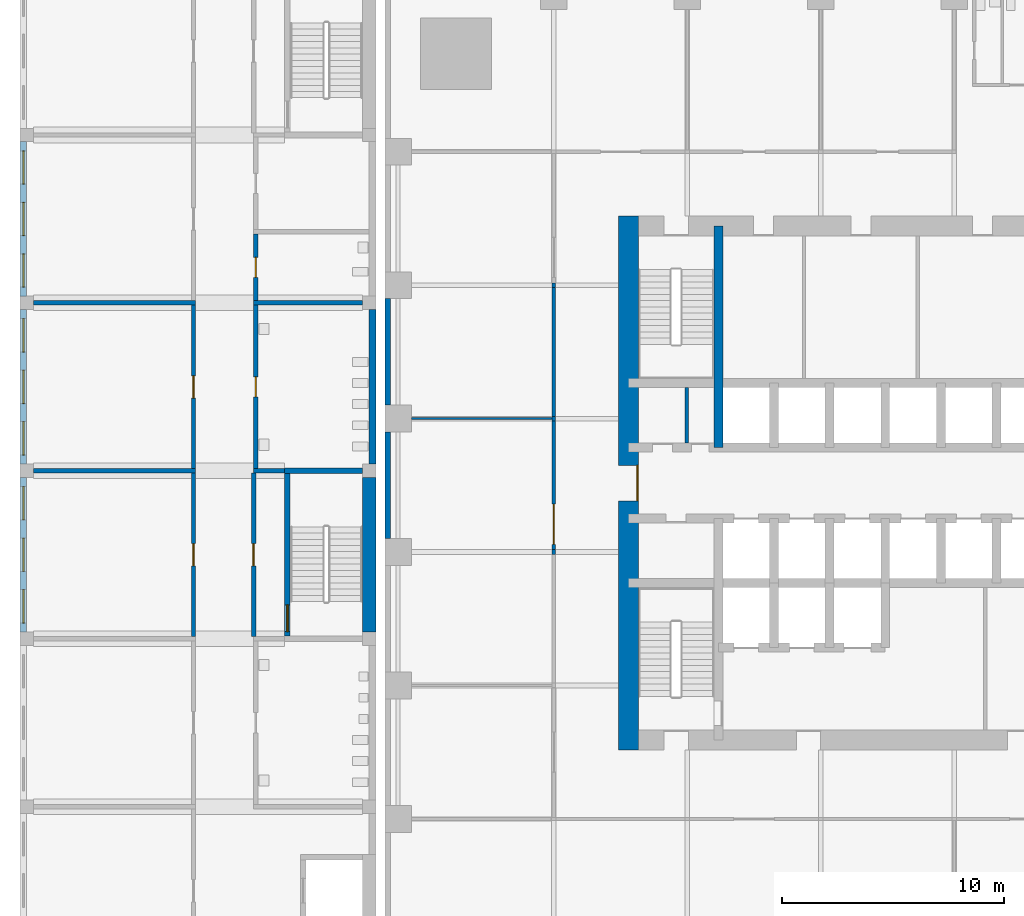
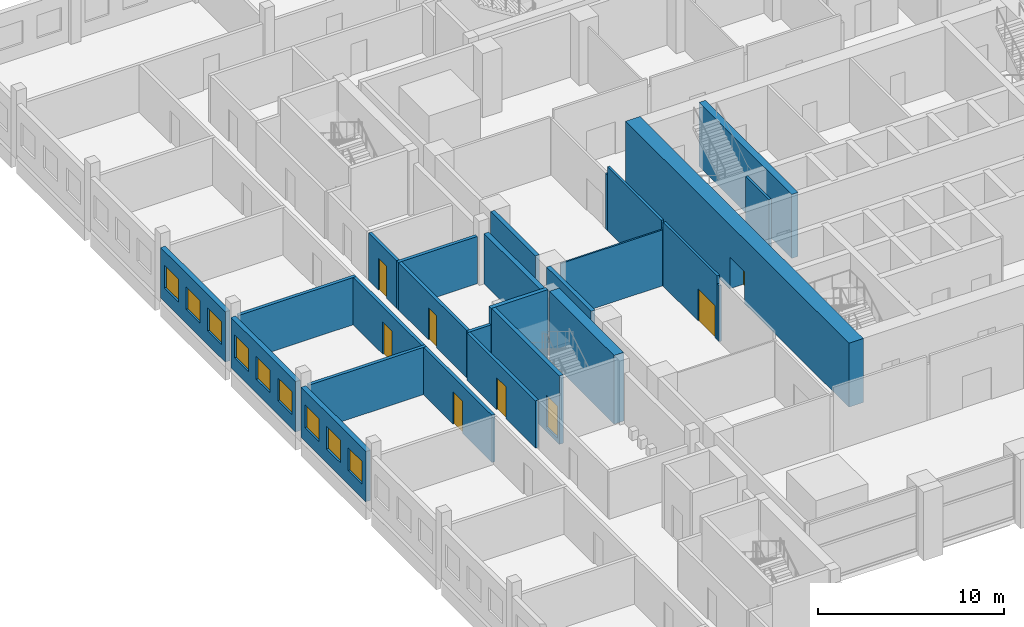
# One storey, part 12 of 25: 27 walls, 9 windows, 8 doors, 17 openings.
"""IFC4 building model written with IfcOpenShell, lengths in metres."""

from ifc_helpers import new_model, si_unit, direction, frame, frame_2d, origin, place, context, subcontext, project, spatial, rectangle, extrude, material, layer, layer_set, type_object, element, fill, save


model = new_model("IFC4")

# Units and contexts
model_context = context("Model", 3, precision=1e-05, world=origin(), true_north=direction((0.0, 1.0)))
body_context = subcontext(model_context, "Body", "Model", "MODEL_VIEW")
ifc_project = project(units=[si_unit("LENGTHUNIT", "METRE"), si_unit("AREAUNIT", "SQUARE_METRE"), si_unit("VOLUMEUNIT", "CUBIC_METRE"), si_unit("PLANEANGLEUNIT", "RADIAN"), si_unit("MASSUNIT", "GRAM", prefix="KILO")], contexts=[model_context])

# Site, building, storey
site_placement = place(None, origin())
site = spatial("IfcSite", under=ifc_project, at=site_placement, CompositionType="ELEMENT")
building_placement = place(site_placement, origin())
building = spatial("IfcBuilding", under=site, at=building_placement, Name="Amberfall Residences", CompositionType="ELEMENT")
storey_placement = place(building_placement, frame((0.0, 0.0, 14.5)))
storey = spatial("IfcBuildingStorey", under=building, at=storey_placement, Name="L03", CompositionType="ELEMENT", Elevation=14.5)

# Wall
ifc_material_1 = material(Name="Concrete C80", Category="concrete")
ifc_layer_1 = layer(ifc_material_1, 0.39990234375)
ifc_layer_set_1 = layer_set([ifc_layer_1], Name="Core wall 400 C80")
wall_type_1 = type_object("IfcWallType", Name="Core wall 400 C80", PredefinedType="SHEAR", material=ifc_layer_set_1)
wall_1_placement = place(storey_placement, frame((67.0, 47.10009765625, 0.0), z_axis=(0.0, 0.0, 1.0), x_axis=(0.0, 1.0, 0.0)))
element("IfcWall", 1, at=wall_1_placement, inside=storey, type_object=wall_type_1, Name="Core wall RW2 L03 V45N", PredefinedType="SHEAR", context=body_context, shape_type="SweptSolid", body=[
    extrude(rectangle(XDim=9.949951171875, YDim=0.39990234375, at=frame_2d((4.97509765625, 0.0))), origin(), (0.0, 0.0, 1.0), 4.199951171875),
])

# Wall, opening, door
ifc_layer_2 = layer(ifc_material_1, 0.89990234375)
ifc_layer_set_2 = layer_set([ifc_layer_2], Name="Core wall 900 C80")
wall_type_2 = type_object("IfcWallType", Name="Core wall 900 C80", PredefinedType="SHEAR", material=ifc_layer_set_2)
wall_2_placement = place(storey_placement, frame((62.949951171875, 33.5, 0.0), z_axis=(0.0, 0.0, 1.0), x_axis=(0.0, 1.0, 0.0)))
wall_2 = element("IfcWall", 2, at=wall_2_placement, inside=storey, type_object=wall_type_2, Name="Core wall RW1 L03 OW", PredefinedType="SHEAR", context=body_context, shape_type="SweptSolid", body=[
    extrude(rectangle(XDim=24.0, YDim=0.89990234375, at=frame_2d((12.0, 0.0))), origin(), (0.0, 0.0, 1.0), 4.199951171875),
])
opening_1_placement = place(wall_2_placement, frame((11.199951171875, 0.0, 0.0)))
opening_1 = element("IfcOpeningElement", 3, at=opening_1_placement, cuts=wall_2, Name="Opening LB1", PredefinedType="OPENING", context=body_context, shape_type="SweptSolid", body=[
    extrude(rectangle(XDim=1.60009765625, YDim=2.10009765625, at=frame_2d((0.800048828125, 1.050048828125))), frame((0.0, 0.4599609375, 0.0), z_axis=(0.0, -1.0, 0.0), x_axis=(1.0, 0.0, 0.0)), (0.0, 0.0, 1.0), 0.919921875),
])
ifc_material_2 = material(Name="Steel fire door set", Category="steel")
door_type_1 = type_object("IfcDoorType", Name="Lift lobby double door 1600 x 2100", OperationType="DOUBLE_DOOR_SINGLE_SWING", PredefinedType="DOOR", material=ifc_material_2)
door_1_placement = place(opening_1_placement, origin())
door_1 = element("IfcDoor", 4, at=door_1_placement, inside=storey, type_object=door_type_1, Name="LB1 L03", OperationType="DOUBLE_DOOR_SINGLE_SWING", OverallHeight=2.10009765625, OverallWidth=1.60009765625, PredefinedType="DOOR", context=body_context, shape_type="SweptSolid", body=[
    extrude(rectangle(XDim=1.60009765625, YDim=2.10009765625, at=frame_2d((0.800048828125, 1.050048828125))), frame((0.0, -0.3876953125, 0.0), z_axis=(0.0, -1.0, 0.0), x_axis=(1.0, 0.0, 0.0)), (0.0, 0.0, 1.0), 0.050048828125),
])
fill(opening_1, door_1)

# Walls
ifc_material_3 = material(Name="Gypsum board on steel studs", Category="steel")
ifc_layer_3 = layer(ifc_material_3, 0.10009765625)
ifc_layer_set_3 = layer_set([ifc_layer_3], Name="Partition 100")
wall_type_3 = type_object("IfcWallType", Name="Partition 100", PredefinedType="PARTITIONING", material=ifc_layer_set_3)
wall_3_placement = place(storey_placement, frame((53.199951171875, 48.39990234375, 0.0), z_axis=(0.0, 0.0, 1.0), x_axis=(1.0, 0.0, 0.0)))
element("IfcWall", 5, at=wall_3_placement, inside=storey, type_object=wall_type_3, Name="Partition 100 L03 002", PredefinedType="PARTITIONING", context=body_context, shape_type="SweptSolid", body=[
    extrude(rectangle(XDim=6.324951171875, YDim=0.10009765625, at=frame_2d((3.16259765625, 0.0))), origin(), (0.0, 0.0, 1.0), 3.6669921875),
])
ifc_material_4 = material(Name="Fire-rated gypsum board on steel studs", Category="steel")
ifc_layer_4 = layer(ifc_material_4, 0.14990234375)
ifc_layer_set_4 = layer_set([ifc_layer_4], Name="Partition 150 fire-rated")
wall_type_4 = type_object("IfcWallType", Name="Partition 150 fire-rated", PredefinedType="PARTITIONING", material=ifc_layer_set_4)
wall_4_placement = place(storey_placement, frame((59.60009765625, 42.29541015625, 0.0), z_axis=(0.0, 0.0, 1.0), x_axis=(0.0, 1.0, 0.0)))
element("IfcWall", 6, at=wall_4_placement, inside=storey, type_object=wall_type_4, Name="Partition 150 fire-rated L03 031", PredefinedType="PARTITIONING", context=body_context, shape_type="SweptSolid", body=[
    extrude(rectangle(XDim=0.209228515625, YDim=0.14990234375, at=frame_2d((0.1044921875, 0.0))), origin(), (0.0, 0.0, 1.0), 3.6669921875),
])

# Wall, opening, door
wall_5_placement = place(storey_placement, frame((59.60009765625, 42.504638671875, 0.0), z_axis=(0.0, 0.0, 1.0), x_axis=(0.0, 1.0, 0.0)))
wall_5 = element("IfcWall", 7, at=wall_5_placement, inside=storey, type_object=wall_type_4, Name="Partition 150 fire-rated L03 032", PredefinedType="PARTITIONING", context=body_context, shape_type="SweptSolid", body=[
    extrude(rectangle(XDim=5.790771484375, YDim=0.14990234375, at=frame_2d((2.8955078125, 0.0))), origin(), (0.0, 0.0, 1.0), 4.199951171875),
])
opening_2_placement = place(wall_5_placement, frame((0.245361328125, 0.0, 0.0)))
opening_2 = element("IfcOpeningElement", 8, at=opening_2_placement, cuts=wall_5, Name="Opening D5", PredefinedType="OPENING", context=body_context, shape_type="SweptSolid", body=[
    extrude(rectangle(XDim=1.800048828125, YDim=2.10009765625, at=frame_2d((0.89990234375, 1.050048828125))), frame((0.0, 0.0849609375, 0.0), z_axis=(0.0, -1.0, 0.0), x_axis=(1.0, 0.0, 0.0)), (0.0, 0.0, 1.0), 0.169921875),
])
ifc_material_5 = material(Name="Timber veneer door leaf", Category="wood")
door_type_2 = type_object("IfcDoorType", Name="Double door 1800x2100", OperationType="DOUBLE_DOOR_SINGLE_SWING", PredefinedType="DOOR", material=ifc_material_5)
door_2_placement = place(opening_2_placement, origin())
door_2 = element("IfcDoor", 9, at=door_2_placement, inside=storey, type_object=door_type_2, Name="Door Language studio", OperationType="DOUBLE_DOOR_SINGLE_SWING", OverallHeight=2.10009765625, OverallWidth=1.800048828125, PredefinedType="DOOR", context=body_context, shape_type="SweptSolid", body=[
    extrude(rectangle(XDim=1.800048828125, YDim=2.10009765625, at=frame_2d((0.89990234375, 1.050048828125))), frame((0.0, 0.02490234375, 0.0), z_axis=(0.0, -1.0, 0.0), x_axis=(1.0, 0.0, 0.0)), (0.0, 0.0, 1.0), 0.050048828125),
])
fill(opening_2, door_2)

# Walls
wall_6_placement = place(storey_placement, frame((59.60009765625, 48.29541015625, 0.0), z_axis=(0.0, 0.0, 1.0), x_axis=(0.0, 1.0, 0.0)))
element("IfcWall", 10, at=wall_6_placement, inside=storey, type_object=wall_type_4, Name="Partition 150 fire-rated L03 033", PredefinedType="PARTITIONING", context=body_context, shape_type="SweptSolid", body=[
    extrude(rectangle(XDim=0.209228515625, YDim=0.14990234375, at=frame_2d((0.1044921875, 0.0))), origin(), (0.0, 0.0, 1.0), 3.6669921875),
])
wall_7_placement = place(storey_placement, frame((59.60009765625, 48.504638671875, 0.0), z_axis=(0.0, 0.0, 1.0), x_axis=(0.0, 1.0, 0.0)))
element("IfcWall", 11, at=wall_7_placement, inside=storey, type_object=wall_type_4, Name="Partition 150 fire-rated L03 034", PredefinedType="PARTITIONING", context=body_context, shape_type="SweptSolid", body=[
    extrude(rectangle(XDim=5.790771484375, YDim=0.14990234375, at=frame_2d((2.8955078125, 0.0))), origin(), (0.0, 0.0, 1.0), 4.199951171875),
])
wall_8_placement = place(storey_placement, frame((59.60009765625, 54.29541015625, 0.0), z_axis=(0.0, 0.0, 1.0), x_axis=(0.0, 1.0, 0.0)))
element("IfcWall", 12, at=wall_8_placement, inside=storey, type_object=wall_type_4, Name="Partition 150 fire-rated L03 035", PredefinedType="PARTITIONING", context=body_context, shape_type="SweptSolid", body=[
    extrude(rectangle(XDim=0.2041015625, YDim=0.14990234375, at=frame_2d((0.10205078125, 0.0))), origin(), (0.0, 0.0, 1.0), 3.6669921875),
])
ifc_material_6 = material(Name="Precast concrete C40", Category="concrete")
ifc_layer_5 = layer(ifc_material_6, 0.25)
ifc_layer_set_5 = layer_set([ifc_layer_5], Name="Podium external wall 250")
wall_type_5 = type_object("IfcWallType", Name="Podium external wall 250", PredefinedType="SOLIDWALL", material=ifc_layer_set_5)
for number, where, z_axis, x_axis, name in (
    (13, (52.125, 43.0, 0.0), (0.0, 0.0, 1.0), (0.0, 1.0, 0.0), "Podium external wall W4"),
    (14, (52.125, 49.0, 0.0), (0.0, 0.0, 1.0), (0.0, 1.0, 0.0), "Podium external wall W5"),
):
    element("IfcWall", number, at=place(storey_placement, frame(where, z_axis=z_axis, x_axis=x_axis)), inside=storey, type_object=wall_type_5, Name=name, PredefinedType="SOLIDWALL", context=body_context, shape_type="SweptSolid", body=[
        extrude(rectangle(XDim=4.800048828125, YDim=0.25, at=frame_2d((2.39990234375, 0.0))), origin(), (0.0, 0.0, 1.0), 4.199951171875),
    ])
ifc_material_7 = material(Name="Concrete blockwork", Category="masonry")
ifc_layer_6 = layer(ifc_material_7, 0.14990234375)
ifc_layer_set_6 = layer_set([ifc_layer_6], Name="Riser wall 150")
wall_type_6 = type_object("IfcWallType", Name="Riser wall 150", PredefinedType="PLUMBINGWALL", material=ifc_layer_set_6)
wall_9_placement = place(storey_placement, frame((65.575927734375, 47.300048828125, 0.0), z_axis=(0.0, 0.0, 1.0), x_axis=(0.0, 1.0, 0.0)))
element("IfcWall", 15, at=wall_9_placement, inside=storey, type_object=wall_type_6, Name="L03 core wall ANW0", PredefinedType="PLUMBINGWALL", context=body_context, shape_type="SweptSolid", body=[
    extrude(rectangle(XDim=2.5, YDim=0.14990234375, at=frame_2d((1.25, 0.0))), origin(), (0.0, 0.0, 1.0), 4.199951171875),
])

# Wall, openings, windows
ifc_material_8 = material(Name="Aerated block wall")
ifc_layer_7 = layer(ifc_material_8, 0.300048828125)
ifc_layer_set_7 = layer_set([ifc_layer_7], Name="School external wall 300")
wall_type_7 = type_object("IfcWallType", Name="School external wall 300", PredefinedType="SOLIDWALL", material=ifc_layer_set_7)
wall_10_placement = place(storey_placement, frame((35.75, 38.800048828125, 0.0), z_axis=(0.0, 0.0, 1.0), x_axis=(0.0, 1.0, 0.0)))
wall_10 = element("IfcWall", 16, at=wall_10_placement, inside=storey, type_object=wall_type_7, Name="School external wall L03 EW4", PredefinedType="SOLIDWALL", context=body_context, shape_type="SweptSolid", body=[
    extrude(rectangle(XDim=6.949951171875, YDim=0.300048828125, at=frame_2d((3.47509765625, 0.0))), origin(), (0.0, 0.0, 1.0), 3.300048828125),
])
opening_3_placement = place(wall_10_placement, frame((0.408203125, 0.0, 0.89990234375)))
opening_3 = element("IfcOpeningElement", 17, at=opening_3_placement, cuts=wall_10, Name="Opening SWN1", PredefinedType="OPENING", context=body_context, shape_type="SweptSolid", body=[
    extrude(rectangle(XDim=1.5, YDim=1.5, at=frame_2d((0.75, 0.75))), frame((0.0, 0.159912109375, 0.0), z_axis=(0.0, -1.0, 0.0), x_axis=(1.0, 0.0, 0.0)), (0.0, 0.0, 1.0), 0.320068359375),
])
opening_4_placement = place(wall_10_placement, frame((2.72509765625, 0.0, 0.89990234375)))
opening_4 = element("IfcOpeningElement", 18, at=opening_4_placement, cuts=wall_10, Name="Opening SWN1", PredefinedType="OPENING", context=body_context, shape_type="SweptSolid", body=[
    extrude(rectangle(XDim=1.5, YDim=1.5, at=frame_2d((0.75, 0.75))), frame((0.0, 0.159912109375, 0.0), z_axis=(0.0, -1.0, 0.0), x_axis=(1.0, 0.0, 0.0)), (0.0, 0.0, 1.0), 0.320068359375),
])
opening_5_placement = place(wall_10_placement, frame((5.041748046875, 0.0, 0.89990234375)))
opening_5 = element("IfcOpeningElement", 19, at=opening_5_placement, cuts=wall_10, Name="Opening SWN1", PredefinedType="OPENING", context=body_context, shape_type="SweptSolid", body=[
    extrude(rectangle(XDim=1.5, YDim=1.5, at=frame_2d((0.75, 0.75))), frame((0.0, 0.159912109375, 0.0), z_axis=(0.0, -1.0, 0.0), x_axis=(1.0, 0.0, 0.0)), (0.0, 0.0, 1.0), 0.320068359375),
])
ifc_material_9 = material(Name="Aluminium window", Category="aluminium")
window_type = type_object("IfcWindowType", Name="School window 1500 x 1500", PartitioningType="DOUBLE_PANEL_HORIZONTAL", PredefinedType="WINDOW", material=ifc_material_9)
window_1_placement = place(opening_3_placement, origin())
window_1 = element("IfcWindow", 20, at=window_1_placement, inside=storey, type_object=window_type, Name="School window L03 EW4-1", OverallHeight=1.5, OverallWidth=1.5, PartitioningType="DOUBLE_PANEL_HORIZONTAL", PredefinedType="WINDOW", context=body_context, shape_type="SweptSolid", body=[
    extrude(rectangle(XDim=1.5, YDim=1.5, at=frame_2d((0.75, 0.75))), frame((0.0, 0.030029296875, 0.0), z_axis=(0.0, -1.0, 0.0), x_axis=(1.0, 0.0, 0.0)), (0.0, 0.0, 1.0), 0.06005859375),
])
fill(opening_3, window_1)
window_2_placement = place(opening_4_placement, origin())
window_2 = element("IfcWindow", 21, at=window_2_placement, inside=storey, type_object=window_type, Name="School window L03 EW4-2", OverallHeight=1.5, OverallWidth=1.5, PartitioningType="DOUBLE_PANEL_HORIZONTAL", PredefinedType="WINDOW", context=body_context, shape_type="SweptSolid", body=[
    extrude(rectangle(XDim=1.5, YDim=1.5, at=frame_2d((0.75, 0.75))), frame((0.0, 0.030029296875, 0.0), z_axis=(0.0, -1.0, 0.0), x_axis=(1.0, 0.0, 0.0)), (0.0, 0.0, 1.0), 0.06005859375),
])
fill(opening_4, window_2)
window_3_placement = place(opening_5_placement, origin())
window_3 = element("IfcWindow", 22, at=window_3_placement, inside=storey, type_object=window_type, Name="School window L03 EW4-3", OverallHeight=1.5, OverallWidth=1.5, PartitioningType="DOUBLE_PANEL_HORIZONTAL", PredefinedType="WINDOW", context=body_context, shape_type="SweptSolid", body=[
    extrude(rectangle(XDim=1.5, YDim=1.5, at=frame_2d((0.75, 0.75))), frame((0.0, 0.030029296875, 0.0), z_axis=(0.0, -1.0, 0.0), x_axis=(1.0, 0.0, 0.0)), (0.0, 0.0, 1.0), 0.06005859375),
])
fill(opening_5, window_3)

wall_11_placement = place(storey_placement, frame((35.75, 46.35009765625, 0.0), z_axis=(0.0, 0.0, 1.0), x_axis=(0.0, 1.0, 0.0)))
wall_11 = element("IfcWall", 23, at=wall_11_placement, inside=storey, type_object=wall_type_7, Name="School external wall L03 EW5", PredefinedType="SOLIDWALL", context=body_context, shape_type="SweptSolid", body=[
    extrude(rectangle(XDim=6.949951171875, YDim=0.300048828125, at=frame_2d((3.47509765625, 0.0))), origin(), (0.0, 0.0, 1.0), 3.300048828125),
])
opening_6_placement = place(wall_11_placement, frame((0.408203125, 0.0, 0.89990234375)))
opening_6 = element("IfcOpeningElement", 24, at=opening_6_placement, cuts=wall_11, Name="Opening SWN1", PredefinedType="OPENING", context=body_context, shape_type="SweptSolid", body=[
    extrude(rectangle(XDim=1.5, YDim=1.5, at=frame_2d((0.75, 0.75))), frame((0.0, 0.159912109375, 0.0), z_axis=(0.0, -1.0, 0.0), x_axis=(1.0, 0.0, 0.0)), (0.0, 0.0, 1.0), 0.320068359375),
])
opening_7_placement = place(wall_11_placement, frame((2.72509765625, 0.0, 0.89990234375)))
opening_7 = element("IfcOpeningElement", 25, at=opening_7_placement, cuts=wall_11, Name="Opening SWN1", PredefinedType="OPENING", context=body_context, shape_type="SweptSolid", body=[
    extrude(rectangle(XDim=1.5, YDim=1.5, at=frame_2d((0.75, 0.75))), frame((0.0, 0.159912109375, 0.0), z_axis=(0.0, -1.0, 0.0), x_axis=(1.0, 0.0, 0.0)), (0.0, 0.0, 1.0), 0.320068359375),
])
opening_8_placement = place(wall_11_placement, frame((5.041748046875, 0.0, 0.89990234375)))
opening_8 = element("IfcOpeningElement", 26, at=opening_8_placement, cuts=wall_11, Name="Opening SWN1", PredefinedType="OPENING", context=body_context, shape_type="SweptSolid", body=[
    extrude(rectangle(XDim=1.5, YDim=1.5, at=frame_2d((0.75, 0.75))), frame((0.0, 0.159912109375, 0.0), z_axis=(0.0, -1.0, 0.0), x_axis=(1.0, 0.0, 0.0)), (0.0, 0.0, 1.0), 0.320068359375),
])
window_4_placement = place(opening_6_placement, origin())
window_4 = element("IfcWindow", 27, at=window_4_placement, inside=storey, type_object=window_type, Name="School window L03 EW5-1", OverallHeight=1.5, OverallWidth=1.5, PartitioningType="DOUBLE_PANEL_HORIZONTAL", PredefinedType="WINDOW", context=body_context, shape_type="SweptSolid", body=[
    extrude(rectangle(XDim=1.5, YDim=1.5, at=frame_2d((0.75, 0.75))), frame((0.0, 0.030029296875, 0.0), z_axis=(0.0, -1.0, 0.0), x_axis=(1.0, 0.0, 0.0)), (0.0, 0.0, 1.0), 0.06005859375),
])
fill(opening_6, window_4)
window_5_placement = place(opening_7_placement, origin())
window_5 = element("IfcWindow", 28, at=window_5_placement, inside=storey, type_object=window_type, Name="School window L03 EW5-2", OverallHeight=1.5, OverallWidth=1.5, PartitioningType="DOUBLE_PANEL_HORIZONTAL", PredefinedType="WINDOW", context=body_context, shape_type="SweptSolid", body=[
    extrude(rectangle(XDim=1.5, YDim=1.5, at=frame_2d((0.75, 0.75))), frame((0.0, 0.030029296875, 0.0), z_axis=(0.0, -1.0, 0.0), x_axis=(1.0, 0.0, 0.0)), (0.0, 0.0, 1.0), 0.06005859375),
])
fill(opening_7, window_5)
window_6_placement = place(opening_8_placement, origin())
window_6 = element("IfcWindow", 29, at=window_6_placement, inside=storey, type_object=window_type, Name="School window L03 EW5-3", OverallHeight=1.5, OverallWidth=1.5, PartitioningType="DOUBLE_PANEL_HORIZONTAL", PredefinedType="WINDOW", context=body_context, shape_type="SweptSolid", body=[
    extrude(rectangle(XDim=1.5, YDim=1.5, at=frame_2d((0.75, 0.75))), frame((0.0, 0.030029296875, 0.0), z_axis=(0.0, -1.0, 0.0), x_axis=(1.0, 0.0, 0.0)), (0.0, 0.0, 1.0), 0.06005859375),
])
fill(opening_8, window_6)

wall_12_placement = place(storey_placement, frame((35.75, 53.89990234375, 0.0), z_axis=(0.0, 0.0, 1.0), x_axis=(0.0, 1.0, 0.0)))
wall_12 = element("IfcWall", 30, at=wall_12_placement, inside=storey, type_object=wall_type_7, Name="School external wall L03 EW6", PredefinedType="SOLIDWALL", context=body_context, shape_type="SweptSolid", body=[
    extrude(rectangle(XDim=6.9501953125, YDim=0.300048828125, at=frame_2d((3.47509765625, 0.0))), origin(), (0.0, 0.0, 1.0), 3.300048828125),
])
opening_9_placement = place(wall_12_placement, frame((0.408203125, 0.0, 0.89990234375)))
opening_9 = element("IfcOpeningElement", 31, at=opening_9_placement, cuts=wall_12, Name="Opening SWN1", PredefinedType="OPENING", context=body_context, shape_type="SweptSolid", body=[
    extrude(rectangle(XDim=1.5, YDim=1.5, at=frame_2d((0.75, 0.75))), frame((0.0, 0.159912109375, 0.0), z_axis=(0.0, -1.0, 0.0), x_axis=(1.0, 0.0, 0.0)), (0.0, 0.0, 1.0), 0.320068359375),
])
opening_10_placement = place(wall_12_placement, frame((2.72509765625, 0.0, 0.89990234375)))
opening_10 = element("IfcOpeningElement", 32, at=opening_10_placement, cuts=wall_12, Name="Opening SWN1", PredefinedType="OPENING", context=body_context, shape_type="SweptSolid", body=[
    extrude(rectangle(XDim=1.5, YDim=1.5, at=frame_2d((0.75, 0.75))), frame((0.0, 0.159912109375, 0.0), z_axis=(0.0, -1.0, 0.0), x_axis=(1.0, 0.0, 0.0)), (0.0, 0.0, 1.0), 0.320068359375),
])
opening_11_placement = place(wall_12_placement, frame((5.041748046875, 0.0, 0.89990234375)))
opening_11 = element("IfcOpeningElement", 33, at=opening_11_placement, cuts=wall_12, Name="Opening SWN1", PredefinedType="OPENING", context=body_context, shape_type="SweptSolid", body=[
    extrude(rectangle(XDim=1.5, YDim=1.5, at=frame_2d((0.75, 0.75))), frame((0.0, 0.159912109375, 0.0), z_axis=(0.0, -1.0, 0.0), x_axis=(1.0, 0.0, 0.0)), (0.0, 0.0, 1.0), 0.320068359375),
])
window_7_placement = place(opening_9_placement, origin())
window_7 = element("IfcWindow", 34, at=window_7_placement, inside=storey, type_object=window_type, Name="School window L03 EW6-1", OverallHeight=1.5, OverallWidth=1.5, PartitioningType="DOUBLE_PANEL_HORIZONTAL", PredefinedType="WINDOW", context=body_context, shape_type="SweptSolid", body=[
    extrude(rectangle(XDim=1.5, YDim=1.5, at=frame_2d((0.75, 0.75))), frame((0.0, 0.030029296875, 0.0), z_axis=(0.0, -1.0, 0.0), x_axis=(1.0, 0.0, 0.0)), (0.0, 0.0, 1.0), 0.06005859375),
])
fill(opening_9, window_7)
window_8_placement = place(opening_10_placement, origin())
window_8 = element("IfcWindow", 35, at=window_8_placement, inside=storey, type_object=window_type, Name="School window L03 EW6-2", OverallHeight=1.5, OverallWidth=1.5, PartitioningType="DOUBLE_PANEL_HORIZONTAL", PredefinedType="WINDOW", context=body_context, shape_type="SweptSolid", body=[
    extrude(rectangle(XDim=1.5, YDim=1.5, at=frame_2d((0.75, 0.75))), frame((0.0, 0.030029296875, 0.0), z_axis=(0.0, -1.0, 0.0), x_axis=(1.0, 0.0, 0.0)), (0.0, 0.0, 1.0), 0.06005859375),
])
fill(opening_10, window_8)
window_9_placement = place(opening_11_placement, origin())
window_9 = element("IfcWindow", 36, at=window_9_placement, inside=storey, type_object=window_type, Name="School window L03 EW6-3", OverallHeight=1.5, OverallWidth=1.5, PartitioningType="DOUBLE_PANEL_HORIZONTAL", PredefinedType="WINDOW", context=body_context, shape_type="SweptSolid", body=[
    extrude(rectangle(XDim=1.5, YDim=1.5, at=frame_2d((0.75, 0.75))), frame((0.0, 0.030029296875, 0.0), z_axis=(0.0, -1.0, 0.0), x_axis=(1.0, 0.0, 0.0)), (0.0, 0.0, 1.0), 0.06005859375),
])
fill(opening_11, window_9)

# Wall
wall_13_placement = place(storey_placement, frame((51.449951171875, 46.35009765625, 0.0), z_axis=(0.0, 0.0, 1.0), x_axis=(0.0, 1.0, 0.0)))
element("IfcWall", 37, at=wall_13_placement, inside=storey, type_object=wall_type_7, Name="School external wall L03 ET5", PredefinedType="SOLIDWALL", context=body_context, shape_type="SweptSolid", body=[
    extrude(rectangle(XDim=6.949951171875, YDim=0.300048828125, at=frame_2d((3.47509765625, 0.0))), origin(), (0.0, 0.0, 1.0), 3.300048828125),
])

# Wall, opening, door
ifc_layer_8 = layer(ifc_material_8, 0.199951171875)
ifc_layer_set_8 = layer_set([ifc_layer_8], Name="School partition 200")
wall_type_8 = type_object("IfcWallType", Name="School partition 200", PredefinedType="PARTITIONING", material=ifc_layer_set_8)
wall_14_placement = place(storey_placement, frame((43.39990234375, 38.60009765625, 0.0), z_axis=(0.0, 0.0, 1.0), x_axis=(0.0, 1.0, 0.0)))
wall_14 = element("IfcWall", 38, at=wall_14_placement, inside=storey, type_object=wall_type_8, Name="School partition L03 CWW4", PredefinedType="PARTITIONING", context=body_context, shape_type="SweptSolid", body=[
    extrude(rectangle(XDim=7.349853515625, YDim=0.199951171875, at=frame_2d((3.6748046875, 0.0))), origin(), (0.0, 0.0, 1.0), 3.10009765625),
])
opening_12_placement = place(wall_14_placement, frame((3.175048828125, 0.0, 0.0)))
opening_12 = element("IfcOpeningElement", 39, at=opening_12_placement, cuts=wall_14, Name="Opening SD5", PredefinedType="OPENING", context=body_context, shape_type="SweptSolid", body=[
    extrude(rectangle(XDim=1.0, YDim=2.10009765625, at=frame_2d((0.5, 1.050048828125))), frame((0.0, 0.10986328125, 0.0), z_axis=(0.0, -1.0, 0.0), x_axis=(1.0, 0.0, 0.0)), (0.0, 0.0, 1.0), 0.219970703125),
])
ifc_material_10 = material(Name="Timber door", Category="wood")
door_type_3 = type_object("IfcDoorType", Name="School classroom door 1000 x 2100", OperationType="SINGLE_SWING_LEFT", PredefinedType="DOOR", material=ifc_material_10)
door_3_placement = place(opening_12_placement, origin())
door_3 = element("IfcDoor", 40, at=door_3_placement, inside=storey, type_object=door_type_3, Name="School door L03 CWW4-1", OperationType="SINGLE_SWING_LEFT", OverallHeight=2.10009765625, OverallWidth=1.0, PredefinedType="DOOR", context=body_context, shape_type="SweptSolid", body=[
    extrude(rectangle(XDim=1.0, YDim=2.10009765625, at=frame_2d((0.5, 1.050048828125))), frame((0.0, 0.02490234375, 0.0), z_axis=(0.0, -1.0, 0.0), x_axis=(1.0, 0.0, 0.0)), (0.0, 0.0, 1.0), 0.050048828125),
])
fill(opening_12, door_3)

wall_15_placement = place(storey_placement, frame((43.39990234375, 46.14990234375, 0.0), z_axis=(0.0, 0.0, 1.0), x_axis=(0.0, 1.0, 0.0)))
wall_15 = element("IfcWall", 41, at=wall_15_placement, inside=storey, type_object=wall_type_8, Name="School partition L03 CWW5", PredefinedType="PARTITIONING", context=body_context, shape_type="SweptSolid", body=[
    extrude(rectangle(XDim=7.35009765625, YDim=0.199951171875, at=frame_2d((3.675048828125, 0.0))), origin(), (0.0, 0.0, 1.0), 3.10009765625),
])
opening_13_placement = place(wall_15_placement, frame((3.175048828125, 0.0, 0.0)))
opening_13 = element("IfcOpeningElement", 42, at=opening_13_placement, cuts=wall_15, Name="Opening SD5", PredefinedType="OPENING", context=body_context, shape_type="SweptSolid", body=[
    extrude(rectangle(XDim=1.0, YDim=2.10009765625, at=frame_2d((0.5, 1.050048828125))), frame((0.0, 0.10986328125, 0.0), z_axis=(0.0, -1.0, 0.0), x_axis=(1.0, 0.0, 0.0)), (0.0, 0.0, 1.0), 0.219970703125),
])
door_4_placement = place(opening_13_placement, origin())
door_4 = element("IfcDoor", 43, at=door_4_placement, inside=storey, type_object=door_type_3, Name="School door L03 CWW5-1", OperationType="SINGLE_SWING_LEFT", OverallHeight=2.10009765625, OverallWidth=1.0, PredefinedType="DOOR", context=body_context, shape_type="SweptSolid", body=[
    extrude(rectangle(XDim=1.0, YDim=2.10009765625, at=frame_2d((0.5, 1.050048828125))), frame((0.0, 0.02490234375, 0.0), z_axis=(0.0, -1.0, 0.0), x_axis=(1.0, 0.0, 0.0)), (0.0, 0.0, 1.0), 0.050048828125),
])
fill(opening_13, door_4)

# Walls
for number, where, z_axis, x_axis, name in (
    (44, (36.199951171875, 46.050048828125, 0.0), (0.0, 0.0, 1.0), (1.0, 0.0, 0.0), "School partition L03 PW4605"),
    (45, (36.199951171875, 53.60009765625, 0.0), (0.0, 0.0, 1.0), (1.0, 0.0, 0.0), "School partition L03 PW5360"),
):
    element("IfcWall", number, at=place(storey_placement, frame(where, z_axis=z_axis, x_axis=x_axis)), inside=storey, type_object=wall_type_8, Name=name, PredefinedType="PARTITIONING", context=body_context, shape_type="SweptSolid", body=[
        extrude(rectangle(XDim=7.300048828125, YDim=0.199951171875, at=frame_2d((3.64990234375, 0.0))), origin(), (0.0, 0.0, 1.0), 3.10009765625),
    ])

# Wall, opening, door
wall_16_placement = place(storey_placement, frame((46.199951171875, 46.14990234375, 0.0), z_axis=(0.0, 0.0, 1.0), x_axis=(0.0, 1.0, 0.0)))
wall_16 = element("IfcWall", 46, at=wall_16_placement, inside=storey, type_object=wall_type_8, Name="School partition L03 CWE546", PredefinedType="PARTITIONING", context=body_context, shape_type="SweptSolid", body=[
    extrude(rectangle(XDim=7.35009765625, YDim=0.199951171875, at=frame_2d((3.675048828125, 0.0))), origin(), (0.0, 0.0, 1.0), 3.10009765625),
])
opening_14_placement = place(wall_16_placement, frame((3.22509765625, 0.0, 0.0)))
opening_14 = element("IfcOpeningElement", 47, at=opening_14_placement, cuts=wall_16, Name="Opening SD2", PredefinedType="OPENING", context=body_context, shape_type="SweptSolid", body=[
    extrude(rectangle(XDim=0.89990234375, YDim=2.10009765625, at=frame_2d((0.449951171875, 1.050048828125))), frame((0.0, 0.10986328125, 0.0), z_axis=(0.0, -1.0, 0.0), x_axis=(1.0, 0.0, 0.0)), (0.0, 0.0, 1.0), 0.219970703125),
])
door_type_4 = type_object("IfcDoorType", Name="School WC door 900 x 2100", OperationType="SINGLE_SWING_LEFT", PredefinedType="DOOR", material=ifc_material_10)
door_5_placement = place(opening_14_placement, origin())
door_5 = element("IfcDoor", 48, at=door_5_placement, inside=storey, type_object=door_type_4, Name="School door L03 CWE546-1", OperationType="SINGLE_SWING_LEFT", OverallHeight=2.10009765625, OverallWidth=0.89990234375, PredefinedType="DOOR", context=body_context, shape_type="SweptSolid", body=[
    extrude(rectangle(XDim=0.89990234375, YDim=2.10009765625, at=frame_2d((0.449951171875, 1.050048828125))), frame((0.0, 0.02490234375, 0.0), z_axis=(0.0, -1.0, 0.0), x_axis=(1.0, 0.0, 0.0)), (0.0, 0.0, 1.0), 0.050048828125),
])
fill(opening_14, door_5)

wall_17_placement = place(storey_placement, frame((46.199951171875, 53.699951171875, 0.0), z_axis=(0.0, 0.0, 1.0), x_axis=(0.0, 1.0, 0.0)))
wall_17 = element("IfcWall", 49, at=wall_17_placement, inside=storey, type_object=wall_type_8, Name="School partition L03 CWE654", PredefinedType="PARTITIONING", context=body_context, shape_type="SweptSolid", body=[
    extrude(rectangle(XDim=3.0, YDim=0.199951171875, at=frame_2d((1.5, 0.0))), origin(), (0.0, 0.0, 1.0), 3.10009765625),
])
opening_15_placement = place(wall_17_placement, frame((1.050048828125, 0.0, 0.0)))
opening_15 = element("IfcOpeningElement", 50, at=opening_15_placement, cuts=wall_17, Name="Opening SD2", PredefinedType="OPENING", context=body_context, shape_type="SweptSolid", body=[
    extrude(rectangle(XDim=0.89990234375, YDim=2.10009765625, at=frame_2d((0.449951171875, 1.050048828125))), frame((0.0, 0.10986328125, 0.0), z_axis=(0.0, -1.0, 0.0), x_axis=(1.0, 0.0, 0.0)), (0.0, 0.0, 1.0), 0.219970703125),
])
door_6_placement = place(opening_15_placement, origin())
door_6 = element("IfcDoor", 51, at=door_6_placement, inside=storey, type_object=door_type_4, Name="School door L03 CWE654-1", OperationType="SINGLE_SWING_LEFT", OverallHeight=2.10009765625, OverallWidth=0.89990234375, PredefinedType="DOOR", context=body_context, shape_type="SweptSolid", body=[
    extrude(rectangle(XDim=0.89990234375, YDim=2.10009765625, at=frame_2d((0.449951171875, 1.050048828125))), frame((0.0, 0.02490234375, 0.0), z_axis=(0.0, -1.0, 0.0), x_axis=(1.0, 0.0, 0.0)), (0.0, 0.0, 1.0), 0.050048828125),
])
fill(opening_15, door_6)

# Walls
wall_18_placement = place(storey_placement, frame((46.10009765625, 46.050048828125, 0.0), z_axis=(0.0, 0.0, 1.0), x_axis=(1.0, 0.0, 0.0)))
element("IfcWall", 52, at=wall_18_placement, inside=storey, type_object=wall_type_8, Name="School partition L03 PEA5", PredefinedType="PARTITIONING", context=body_context, shape_type="SweptSolid", body=[
    extrude(rectangle(XDim=1.39990234375, YDim=0.199951171875, at=frame_2d((0.699951171875, 0.0))), origin(), (0.0, 0.0, 1.0), 3.10009765625),
])
wall_19_placement = place(storey_placement, frame((46.10009765625, 53.60009765625, 0.0), z_axis=(0.0, 0.0, 1.0), x_axis=(1.0, 0.0, 0.0)))
element("IfcWall", 53, at=wall_19_placement, inside=storey, type_object=wall_type_8, Name="School partition L03 PE6", PredefinedType="PARTITIONING", context=body_context, shape_type="SweptSolid", body=[
    extrude(rectangle(XDim=4.89990234375, YDim=0.199951171875, at=frame_2d((2.449951171875, 0.0))), origin(), (0.0, 0.0, 1.0), 3.10009765625),
])

# Wall, opening, door
wall_20_placement = place(storey_placement, frame((46.10009765625, 38.60009765625, 0.0), z_axis=(0.0, 0.0, 1.0), x_axis=(0.0, 1.0, 0.0)))
wall_20 = element("IfcWall", 54, at=wall_20_placement, inside=storey, type_object=wall_type_8, Name="School partition L03 CWLSS2", PredefinedType="PARTITIONING", context=body_context, shape_type="SweptSolid", body=[
    extrude(rectangle(XDim=7.349853515625, YDim=0.199951171875, at=frame_2d((3.6748046875, 0.0))), origin(), (0.0, 0.0, 1.0), 3.10009765625),
])
opening_16_placement = place(wall_20_placement, frame((3.175048828125, 0.0, 0.0)))
opening_16 = element("IfcOpeningElement", 55, at=opening_16_placement, cuts=wall_20, Name="Opening SD8", PredefinedType="OPENING", context=body_context, shape_type="SweptSolid", body=[
    extrude(rectangle(XDim=1.0, YDim=2.10009765625, at=frame_2d((0.5, 1.050048828125))), frame((0.0, 0.10986328125, 0.0), z_axis=(0.0, -1.0, 0.0), x_axis=(1.0, 0.0, 0.0)), (0.0, 0.0, 1.0), 0.219970703125),
])
door_type_5 = type_object("IfcDoorType", Name="School lobby door 1000 x 2100", OperationType="SINGLE_SWING_LEFT", PredefinedType="DOOR", material=ifc_material_10)
door_7_placement = place(opening_16_placement, origin())
door_7 = element("IfcDoor", 56, at=door_7_placement, inside=storey, type_object=door_type_5, Name="School door L03 CWLSS2-1", OperationType="SINGLE_SWING_LEFT", OverallHeight=2.10009765625, OverallWidth=1.0, PredefinedType="DOOR", context=body_context, shape_type="SweptSolid", body=[
    extrude(rectangle(XDim=1.0, YDim=2.10009765625, at=frame_2d((0.5, 1.050048828125))), frame((0.0, 0.02490234375, 0.0), z_axis=(0.0, -1.0, 0.0), x_axis=(1.0, 0.0, 0.0)), (0.0, 0.0, 1.0), 0.050048828125),
])
fill(opening_16, door_7)

ifc_material_11 = material(Name="Concrete C50", Category="concrete")
ifc_layer_9 = layer(ifc_material_11, 0.25)
ifc_layer_set_9 = layer_set([ifc_layer_9], Name="School stair core wall 250 C50")
wall_type_9 = type_object("IfcWallType", Name="School stair core wall 250 C50", PredefinedType="SHEAR", material=ifc_layer_set_9)
wall_21_placement = place(storey_placement, frame((47.625, 38.625, -0.300048828125), z_axis=(0.0, 0.0, 1.0), x_axis=(0.0, 1.0, 0.0)))
wall_21 = element("IfcWall", 57, at=wall_21_placement, inside=storey, type_object=wall_type_9, Name="School core wall L03 SS2W", PredefinedType="SHEAR", context=body_context, shape_type="SweptSolid", body=[
    extrude(rectangle(XDim=7.300048828125, YDim=0.25, at=frame_2d((3.64990234375, 0.0))), origin(), (0.0, 0.0, 1.0), 4.5),
])
opening_17_placement = place(wall_21_placement, frame((0.199951171875, 0.0, 0.300048828125)))
opening_17 = element("IfcOpeningElement", 58, at=opening_17_placement, cuts=wall_21, Name="Opening SD4", PredefinedType="OPENING", context=body_context, shape_type="SweptSolid", body=[
    extrude(rectangle(XDim=1.199951171875, YDim=2.10009765625, at=frame_2d((0.60009765625, 1.050048828125))), frame((0.0, 0.135009765625, 0.0), z_axis=(0.0, -1.0, 0.0), x_axis=(1.0, 0.0, 0.0)), (0.0, 0.0, 1.0), 0.27001953125),
])
ifc_material_12 = material(Name="Steel fire door", Category="steel")
door_type_6 = type_object("IfcDoorType", Name="School stair door 1200 x 2100 FD120", OperationType="SINGLE_SWING_LEFT", PredefinedType="DOOR", material=ifc_material_12)
door_8_placement = place(opening_17_placement, origin())
door_8 = element("IfcDoor", 59, at=door_8_placement, inside=storey, type_object=door_type_6, Name="School stair door L03 SS2", OperationType="SINGLE_SWING_LEFT", OverallHeight=2.10009765625, OverallWidth=1.199951171875, PredefinedType="DOOR", context=body_context, shape_type="SweptSolid", body=[
    extrude(rectangle(XDim=1.199951171875, YDim=2.10009765625, at=frame_2d((0.60009765625, 1.050048828125))), frame((0.0, 0.02490234375, 0.0), z_axis=(0.0, -1.0, 0.0), x_axis=(1.0, 0.0, 0.0)), (0.0, 0.0, 1.0), 0.050048828125),
])
fill(opening_17, door_8)

# Walls
wall_22_placement = place(storey_placement, frame((47.5, 46.050048828125, -0.300048828125), z_axis=(0.0, 0.0, 1.0), x_axis=(1.0, 0.0, 0.0)))
element("IfcWall", 60, at=wall_22_placement, inside=storey, type_object=wall_type_9, Name="School core wall L03 SS2N", PredefinedType="SHEAR", context=body_context, shape_type="SweptSolid", body=[
    extrude(rectangle(XDim=3.5, YDim=0.25, at=frame_2d((1.75, 0.0))), origin(), (0.0, 0.0, 1.0), 4.5),
])
ifc_layer_10 = layer(ifc_material_11, 0.60009765625)
ifc_layer_set_10 = layer_set([ifc_layer_10], Name="School tower-side core wall 600 C50")
wall_type_10 = type_object("IfcWallType", Name="School tower-side core wall 600 C50", PredefinedType="SHEAR", material=ifc_layer_set_10)
wall_23_placement = place(storey_placement, frame((51.300048828125, 38.800048828125, -0.300048828125), z_axis=(0.0, 0.0, 1.0), x_axis=(0.0, 1.0, 0.0)))
element("IfcWall", 61, at=wall_23_placement, inside=storey, type_object=wall_type_10, Name="School core wall L03 SS2E", PredefinedType="SHEAR", context=body_context, shape_type="SweptSolid", body=[
    extrude(rectangle(XDim=6.949951171875, YDim=0.60009765625, at=frame_2d((3.47509765625, 0.0))), origin(), (0.0, 0.0, 1.0), 4.5),
])

save(model, "model.ifc")
